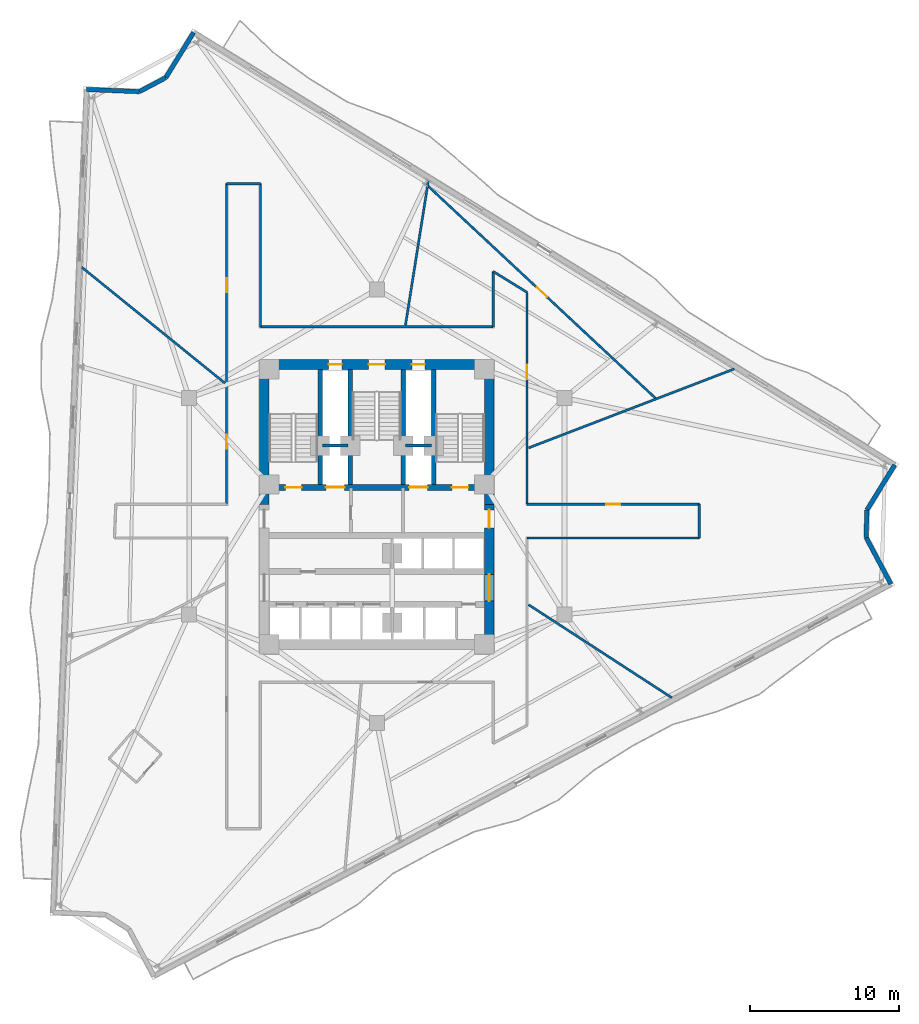
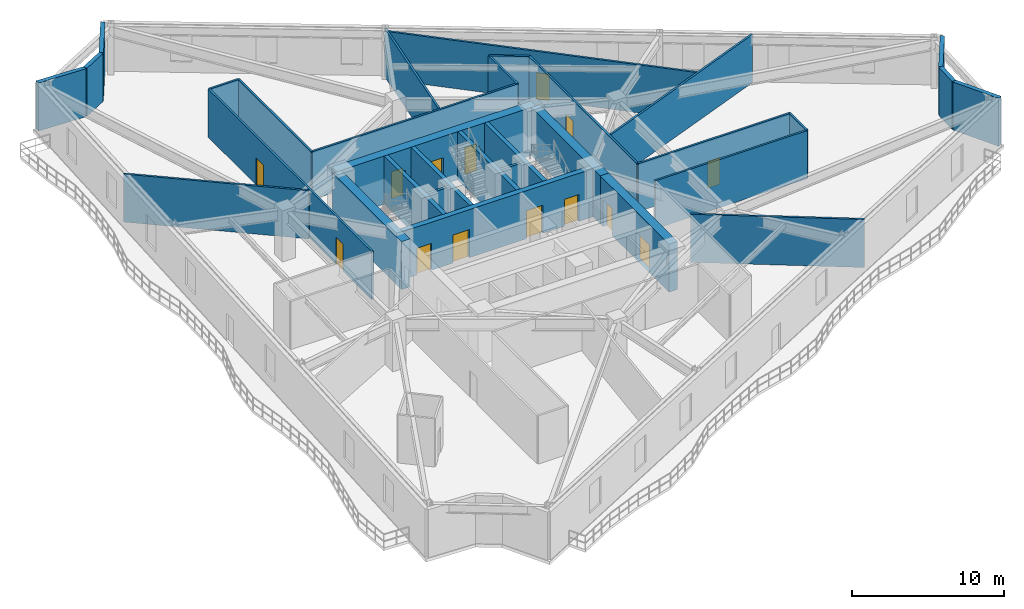
# One storey, part 7 of 12: 32 walls, 14 doors, 14 openings.
"""IFC4 building model written with IfcOpenShell, lengths in metres."""

from ifc_helpers import new_model, si_unit, direction, frame, frame_2d, origin, place, context, subcontext, project, spatial, rectangle, extrude, material, layer, layer_set, type_object, element, fill, save


model = new_model("IFC4")

# Units and contexts
model_context = context("Model", 3, precision=1e-05, world=origin(), true_north=direction((0.0, 1.0)))
body_context = subcontext(model_context, "Body", "Model", "MODEL_VIEW")
ifc_project = project(units=[si_unit("LENGTHUNIT", "METRE"), si_unit("AREAUNIT", "SQUARE_METRE"), si_unit("VOLUMEUNIT", "CUBIC_METRE"), si_unit("PLANEANGLEUNIT", "RADIAN"), si_unit("MASSUNIT", "GRAM", prefix="KILO")], contexts=[model_context])

# Site, building, storey
site_placement = place(None, origin())
site = spatial("IfcSite", under=ifc_project, at=site_placement, CompositionType="ELEMENT")
building_placement = place(site_placement, origin())
building = spatial("IfcBuilding", under=site, at=building_placement, Name="Apsidion Concourse Tower", CompositionType="ELEMENT")
storey_placement = place(building_placement, frame((0.0, 0.0, 181.89990234375)))
storey = spatial("IfcBuildingStorey", under=building, at=storey_placement, Name="L42", CompositionType="ELEMENT", Elevation=181.89990234375)

# Walls
ifc_material_1 = material(Name="Precast concrete C40/50", Category="concrete")
ifc_layer_1 = layer(ifc_material_1, 0.300048828125)
ifc_layer_set_1 = layer_set([ifc_layer_1], Name="Precast concrete C40/50")
wall_type_1 = type_object("IfcWallType", Name="WL-EXT-300", PredefinedType="STANDARD", material=ifc_layer_set_1)
wall_1_placement = place(storey_placement, frame((34.653076171875, 2.76171875, 0.0), z_axis=(0.0, 0.0, 1.0), x_axis=(-0.524920336071, -0.85115136185, 0.0)))
element("IfcWall", 1, at=wall_1_placement, inside=storey, type_object=wall_type_1, Name="L42 Precast Stone Facade Wall 02", PredefinedType="STANDARD", context=body_context, shape_type="SweptSolid", body=[
    extrude(rectangle(XDim=3.541259765625, YDim=0.300048828125, at=frame_2d((1.7705078125, 0.0))), origin(), (0.0, 0.0, 1.0), 3.85009765625),
])
wall_2_placement = place(storey_placement, frame((32.794189453125, -0.25244140625, 0.0), z_axis=(0.0, 0.0, 1.0), x_axis=(-0.031873247483, -0.999491918974, 0.0)))
element("IfcWall", 2, at=wall_2_placement, inside=storey, type_object=wall_type_1, Name="L42 Precast Stone Facade Wall 03", PredefinedType="STANDARD", context=body_context, shape_type="SweptSolid", body=[
    extrude(rectangle(XDim=1.83837890625, YDim=0.300048828125, at=frame_2d((0.919189453125, 0.0))), origin(), (0.0, 0.0, 1.0), 3.85009765625),
])
wall_3_placement = place(storey_placement, frame((32.735595703125, -2.08984375, 0.0), z_axis=(0.0, 0.0, 1.0), x_axis=(0.469464339615, -0.882951433449, 0.0)))
element("IfcWall", 3, at=wall_3_placement, inside=storey, type_object=wall_type_1, Name="L42 Precast Stone Facade Wall 04", PredefinedType="STANDARD", context=body_context, shape_type="SweptSolid", body=[
    extrude(rectangle(XDim=3.54150390625, YDim=0.300048828125, at=frame_2d((1.770751953125, 0.0))), origin(), (0.0, 0.0, 1.0), 3.85009765625),
])
wall_4_placement = place(storey_placement, frame((-19.418212890625, 27.880126953125, 0.0), z_axis=(0.0, 0.0, 1.0), x_axis=(0.999167250485, -0.040802028853, 0.0)))
element("IfcWall", 4, at=wall_4_placement, inside=storey, type_object=wall_type_1, Name="L42 Precast Stone Facade Wall 10", PredefinedType="STANDARD", context=body_context, shape_type="SweptSolid", body=[
    extrude(rectangle(XDim=3.542236328125, YDim=0.300048828125, at=frame_2d((1.77099609375, 0.0))), origin(), (0.0, 0.0, 1.0), 3.85009765625),
])
wall_5_placement = place(storey_placement, frame((-15.87890625, 27.735595703125, 0.0), z_axis=(0.0, 0.0, 1.0), x_axis=(0.882930579665, 0.469503558552, 0.0)))
element("IfcWall", 5, at=wall_5_placement, inside=storey, type_object=wall_type_1, Name="L42 Precast Stone Facade Wall 11", PredefinedType="STANDARD", context=body_context, shape_type="SweptSolid", body=[
    extrude(rectangle(XDim=1.998291015625, YDim=0.300048828125, at=frame_2d((0.9990234375, 0.0))), origin(), (0.0, 0.0, 1.0), 3.85009765625),
])
wall_6_placement = place(storey_placement, frame((-14.114501953125, 28.673828125, 0.0), z_axis=(0.0, 0.0, 1.0), x_axis=(0.524897025004, 0.851165737763, 0.0)))
element("IfcWall", 6, at=wall_6_placement, inside=storey, type_object=wall_type_1, Name="L42 Precast Stone Facade Wall 12", PredefinedType="STANDARD", context=body_context, shape_type="SweptSolid", body=[
    extrude(rectangle(XDim=3.54248046875, YDim=0.300048828125, at=frame_2d((1.771240234375, 0.0))), origin(), (0.0, 0.0, 1.0), 3.85009765625),
])

# Wall, openings, doors
ifc_material_2 = material(Name="Gypsum plasterboard partition")
ifc_layer_2 = layer(ifc_material_2, 0.14990234375)
ifc_layer_set_2 = layer_set([ifc_layer_2], Name="Gypsum plasterboard partition")
wall_type_2 = type_object("IfcWallType", Name="WL-INT-PAR-150", PredefinedType="PARTITIONING", material=ifc_layer_set_2)
wall_7_placement = place(storey_placement, frame((-10.050048828125, 0.1298828125, 0.0), z_axis=(0.0, 0.0, 1.0), x_axis=(0.0, 1.0, 0.0)))
wall_7 = element("IfcWall", 7, at=wall_7_placement, inside=storey, type_object=wall_type_2, Name="L42 Interior Partition WL-L42-CORR-10", PredefinedType="PARTITIONING", context=body_context, shape_type="SweptSolid", body=[
    extrude(rectangle(XDim=21.4501953125, YDim=0.14990234375, at=frame_2d((10.72509765625, 0.0))), origin(), (0.0, 0.0, 1.0), 3.85009765625),
])
opening_1_placement = place(wall_7_placement, frame((14.171142578125, 0.0, 0.0)))
opening_1 = element("IfcOpeningElement", 8, at=opening_1_placement, cuts=wall_7, Name="Opening D-01L", PredefinedType="OPENING", context=body_context, shape_type="SweptSolid", body=[
    extrude(rectangle(XDim=0.949951171875, YDim=2.14990234375, at=frame_2d((0.47509765625, 1.074951171875))), frame((0.0, 0.0849609375, 0.0), z_axis=(0.0, -1.0, 0.0), x_axis=(1.0, 0.0, 0.0)), (0.0, 0.0, 1.0), 0.169921875),
])
opening_2_placement = place(wall_7_placement, frame((3.69921875, 0.0, 0.0)))
opening_2 = element("IfcOpeningElement", 9, at=opening_2_placement, cuts=wall_7, Name="Opening D-01R", PredefinedType="OPENING", context=body_context, shape_type="SweptSolid", body=[
    extrude(rectangle(XDim=0.949951171875, YDim=2.14990234375, at=frame_2d((0.47509765625, 1.074951171875))), frame((0.0, 0.0849609375, 0.0), z_axis=(0.0, -1.0, 0.0), x_axis=(1.0, 0.0, 0.0)), (0.0, 0.0, 1.0), 0.169921875),
])
ifc_material_3 = material(Name="Brushed stainless steel 316", Category="steel")
door_type_1 = type_object("IfcDoorType", Name="DR-INT-D01L", OperationType="SINGLE_SWING_LEFT", PredefinedType="DOOR", material=ifc_material_3)
door_1_placement = place(opening_1_placement, origin())
door_1 = element("IfcDoor", 10, at=door_1_placement, inside=storey, type_object=door_type_1, Name="L42 Corridor Entry Door 05", OperationType="SINGLE_SWING_LEFT", OverallHeight=2.14990234375, OverallWidth=0.949951171875, PredefinedType="DOOR", context=body_context, shape_type="SweptSolid", body=[
    extrude(rectangle(XDim=0.949951171875, YDim=2.14990234375, at=frame_2d((0.47509765625, 1.074951171875))), frame((0.0, 0.02490234375, 0.0), z_axis=(0.0, -1.0, 0.0), x_axis=(1.0, 0.0, 0.0)), (0.0, 0.0, 1.0), 0.050048828125),
])
fill(opening_1, door_1)
door_type_2 = type_object("IfcDoorType", Name="DR-INT-D01R", OperationType="SINGLE_SWING_RIGHT", PredefinedType="DOOR", material=ifc_material_3)
door_2_placement = place(opening_2_placement, origin())
door_2 = element("IfcDoor", 11, at=door_2_placement, inside=storey, type_object=door_type_2, Name="L42 Corridor Entry Door 06", OperationType="SINGLE_SWING_RIGHT", OverallHeight=2.14990234375, OverallWidth=0.949951171875, PredefinedType="DOOR", context=body_context, shape_type="SweptSolid", body=[
    extrude(rectangle(XDim=0.949951171875, YDim=2.14990234375, at=frame_2d((0.47509765625, 1.074951171875))), frame((0.0, 0.02490234375, 0.0), z_axis=(0.0, -1.0, 0.0), x_axis=(1.0, 0.0, 0.0)), (0.0, 0.0, 1.0), 0.050048828125),
])
fill(opening_2, door_2)

# Walls
wall_8_placement = place(storey_placement, frame((-10.050048828125, 21.580078125, 0.0), z_axis=(0.0, 0.0, 1.0), x_axis=(1.0, 0.0, 0.0)))
element("IfcWall", 12, at=wall_8_placement, inside=storey, type_object=wall_type_2, Name="L42 Interior Partition WL-L42-CORR-11", PredefinedType="PARTITIONING", context=body_context, shape_type="SweptSolid", body=[
    extrude(rectangle(XDim=2.260009765625, YDim=0.14990234375, at=frame_2d((1.1298828125, 0.0))), origin(), (0.0, 0.0, 1.0), 3.85009765625),
])
wall_9_placement = place(storey_placement, frame((-7.7900390625, 21.580078125, 0.0), z_axis=(0.0, 0.0, 1.0), x_axis=(0.0, -1.0, 0.0)))
element("IfcWall", 13, at=wall_9_placement, inside=storey, type_object=wall_type_2, Name="L42 Interior Partition WL-L42-CORR-12", PredefinedType="PARTITIONING", context=body_context, shape_type="SweptSolid", body=[
    extrude(rectangle(XDim=9.580078125, YDim=0.14990234375, at=frame_2d((4.7900390625, 0.0))), origin(), (0.0, 0.0, 1.0), 3.85009765625),
])
wall_10_placement = place(storey_placement, frame((-7.7900390625, 12.0, 0.0), z_axis=(0.0, 0.0, 1.0), x_axis=(1.0, 0.0, 0.0)))
element("IfcWall", 14, at=wall_10_placement, inside=storey, type_object=wall_type_2, Name="L42 Interior Partition WL-L42-CORR-13", PredefinedType="PARTITIONING", context=body_context, shape_type="SweptSolid", body=[
    extrude(rectangle(XDim=15.580078125, YDim=0.14990234375, at=frame_2d((7.7900390625, 0.0))), origin(), (0.0, 0.0, 1.0), 3.85009765625),
])
wall_11_placement = place(storey_placement, frame((7.7900390625, 12.0, 0.0), z_axis=(0.0, 0.0, 1.0), x_axis=(0.0, 1.0, 0.0)))
element("IfcWall", 15, at=wall_11_placement, inside=storey, type_object=wall_type_2, Name="L42 Interior Partition WL-L42-CORR-14", PredefinedType="PARTITIONING", context=body_context, shape_type="SweptSolid", body=[
    extrude(rectangle(XDim=3.703125, YDim=0.14990234375, at=frame_2d((1.8515625, 0.0))), origin(), (0.0, 0.0, 1.0), 3.85009765625),
])
wall_12_placement = place(storey_placement, frame((7.7900390625, 15.703125, 0.0), z_axis=(0.0, 0.0, 1.0), x_axis=(0.851190724913, -0.52485650403, 0.0)))
element("IfcWall", 16, at=wall_12_placement, inside=storey, type_object=wall_type_2, Name="L42 Interior Partition WL-L42-CORR-15", PredefinedType="PARTITIONING", context=body_context, shape_type="SweptSolid", body=[
    extrude(rectangle(XDim=2.655029296875, YDim=0.14990234375, at=frame_2d((1.32763671875, 0.0))), origin(), (0.0, 0.0, 1.0), 3.85009765625),
])

# Wall, opening, door
wall_13_placement = place(storey_placement, frame((10.050048828125, 14.3095703125, 0.0), z_axis=(0.0, 0.0, 1.0), x_axis=(0.0, -1.0, 0.0)))
wall_13 = element("IfcWall", 17, at=wall_13_placement, inside=storey, type_object=wall_type_2, Name="L42 Interior Partition WL-L42-CORR-16", PredefinedType="PARTITIONING", context=body_context, shape_type="SweptSolid", body=[
    extrude(rectangle(XDim=14.1796875, YDim=0.14990234375, at=frame_2d((7.08984375, 0.0))), origin(), (0.0, 0.0, 1.0), 3.85009765625),
])
opening_3_placement = place(wall_13_placement, frame((4.860595703125, 0.0, 0.0)))
opening_3 = element("IfcOpeningElement", 18, at=opening_3_placement, cuts=wall_13, Name="Opening D-01R", PredefinedType="OPENING", context=body_context, shape_type="SweptSolid", body=[
    extrude(rectangle(XDim=0.949951171875, YDim=2.14990234375, at=frame_2d((0.47509765625, 1.074951171875))), frame((0.0, 0.0849609375, 0.0), z_axis=(0.0, -1.0, 0.0), x_axis=(1.0, 0.0, 0.0)), (0.0, 0.0, 1.0), 0.169921875),
])
door_3_placement = place(opening_3_placement, origin())
door_3 = element("IfcDoor", 19, at=door_3_placement, inside=storey, type_object=door_type_2, Name="L42 Corridor Entry Door 04", OperationType="SINGLE_SWING_RIGHT", OverallHeight=2.14990234375, OverallWidth=0.949951171875, PredefinedType="DOOR", context=body_context, shape_type="SweptSolid", body=[
    extrude(rectangle(XDim=0.949951171875, YDim=2.14990234375, at=frame_2d((0.47509765625, 1.074951171875))), frame((0.0, 0.02490234375, 0.0), z_axis=(0.0, -1.0, 0.0), x_axis=(1.0, 0.0, 0.0)), (0.0, 0.0, 1.0), 0.050048828125),
])
fill(opening_3, door_3)

wall_14_placement = place(storey_placement, frame((10.050048828125, 0.1298828125, 0.0), z_axis=(0.0, 0.0, 1.0), x_axis=(1.0, 0.0, 0.0)))
wall_14 = element("IfcWall", 20, at=wall_14_placement, inside=storey, type_object=wall_type_2, Name="L42 Interior Partition WL-L42-CORR-17", PredefinedType="PARTITIONING", context=body_context, shape_type="SweptSolid", body=[
    extrude(rectangle(XDim=11.530029296875, YDim=0.14990234375, at=frame_2d((5.76513671875, 0.0))), origin(), (0.0, 0.0, 1.0), 3.85009765625),
])
opening_4_placement = place(wall_14_placement, frame((5.2900390625, 0.0, 0.0)))
opening_4 = element("IfcOpeningElement", 21, at=opening_4_placement, cuts=wall_14, Name="Opening D-01L", PredefinedType="OPENING", context=body_context, shape_type="SweptSolid", body=[
    extrude(rectangle(XDim=0.949951171875, YDim=2.14990234375, at=frame_2d((0.47509765625, 1.074951171875))), frame((0.0, 0.0849609375, 0.0), z_axis=(0.0, -1.0, 0.0), x_axis=(1.0, 0.0, 0.0)), (0.0, 0.0, 1.0), 0.169921875),
])
door_4_placement = place(opening_4_placement, origin())
door_4 = element("IfcDoor", 22, at=door_4_placement, inside=storey, type_object=door_type_1, Name="L42 Corridor Entry Door 03", OperationType="SINGLE_SWING_LEFT", OverallHeight=2.14990234375, OverallWidth=0.949951171875, PredefinedType="DOOR", context=body_context, shape_type="SweptSolid", body=[
    extrude(rectangle(XDim=0.949951171875, YDim=2.14990234375, at=frame_2d((0.47509765625, 1.074951171875))), frame((0.0, 0.02490234375, 0.0), z_axis=(0.0, -1.0, 0.0), x_axis=(1.0, 0.0, 0.0)), (0.0, 0.0, 1.0), 0.050048828125),
])
fill(opening_4, door_4)

# Walls
wall_15_placement = place(storey_placement, frame((21.580078125, 0.1298828125, 0.0), z_axis=(0.0, 0.0, 1.0), x_axis=(0.0, -1.0, 0.0)))
element("IfcWall", 23, at=wall_15_placement, inside=storey, type_object=wall_type_2, Name="L42 Interior Partition WL-L42-CORR-18", PredefinedType="PARTITIONING", context=body_context, shape_type="SweptSolid", body=[
    extrude(rectangle(XDim=2.259765625, YDim=0.14990234375, at=frame_2d((1.1298828125, 0.0))), origin(), (0.0, 0.0, 1.0), 3.85009765625),
])
wall_16_placement = place(storey_placement, frame((21.580078125, -2.1298828125, 0.0), z_axis=(0.0, 0.0, 1.0), x_axis=(-1.0, 0.0, 0.0)))
element("IfcWall", 24, at=wall_16_placement, inside=storey, type_object=wall_type_2, Name="L42 Interior Partition WL-L42-CORR-19", PredefinedType="PARTITIONING", context=body_context, shape_type="SweptSolid", body=[
    extrude(rectangle(XDim=11.530029296875, YDim=0.14990234375, at=frame_2d((5.76513671875, 0.0))), origin(), (0.0, 0.0, 1.0), 3.85009765625),
])
wall_17_placement = place(storey_placement, frame((10.155029296875, 3.898193359375, 0.0), z_axis=(0.0, 0.0, 1.0), x_axis=(0.933582173368, 0.358363398759, 0.0)))
element("IfcWall", 25, at=wall_17_placement, inside=storey, type_object=wall_type_2, Name="L42 Interior Partition WL-L42-RAD-01-1", PredefinedType="PARTITIONING", context=body_context, shape_type="SweptSolid", body=[
    extrude(rectangle(XDim=14.74951171875, YDim=0.14990234375, at=frame_2d((7.374755859375, 0.0))), origin(), (0.0, 0.0, 1.0), 3.85009765625),
])
wall_18_placement = place(storey_placement, frame((1.917236328125, 12.10498046875, 0.0), z_axis=(0.0, 0.0, 1.0), x_axis=(0.156446237386, 0.987686475967, 0.0)))
element("IfcWall", 26, at=wall_18_placement, inside=storey, type_object=wall_type_2, Name="L42 Interior Partition WL-L42-RAD-02-1", PredefinedType="PARTITIONING", context=body_context, shape_type="SweptSolid", body=[
    extrude(rectangle(XDim=9.823486328125, YDim=0.14990234375, at=frame_2d((4.91162109375, 0.0))), origin(), (0.0, 0.0, 1.0), 3.85009765625),
])
wall_19_placement = place(storey_placement, frame((-10.155029296875, 8.223388671875, 0.0), z_axis=(0.0, 0.0, 1.0), x_axis=(-0.777144819035, 0.629321801821, 0.0)))
element("IfcWall", 27, at=wall_19_placement, inside=storey, type_object=wall_type_2, Name="L42 Interior Partition WL-L42-RAD-03-1", PredefinedType="PARTITIONING", context=body_context, shape_type="SweptSolid", body=[
    extrude(rectangle(XDim=12.332275390625, YDim=0.14990234375, at=frame_2d((6.166015625, 0.0))), origin(), (0.0, 0.0, 1.0), 3.85009765625),
])
wall_20_placement = place(storey_placement, frame((10.155029296875, -6.5947265625, 0.0), z_axis=(0.0, 0.0, 1.0), x_axis=(0.838665527381, -0.544646796725, 0.0)))
element("IfcWall", 28, at=wall_20_placement, inside=storey, type_object=wall_type_2, Name="L42 Interior Partition WL-L42-RAD-06-1", PredefinedType="PARTITIONING", context=body_context, shape_type="SweptSolid", body=[
    extrude(rectangle(XDim=11.43310546875, YDim=0.14990234375, at=frame_2d((5.716552734375, 0.0))), origin(), (0.0, 0.0, 1.0), 3.85009765625),
])

# Wall, opening, door
wall_21_placement = place(storey_placement, frame((18.675048828125, 7.195556640625, 0.0), z_axis=(0.0, 0.0, 1.0), x_axis=(-0.731248253025, 0.682111422312, 0.0)))
wall_21 = element("IfcWall", 29, at=wall_21_placement, inside=storey, type_object=wall_type_2, Name="L42 Interior Partition WL-L42-CHD-OFS03", PredefinedType="PARTITIONING", context=body_context, shape_type="SweptSolid", body=[
    extrude(rectangle(XDim=20.863037109375, YDim=0.14990234375, at=frame_2d((10.431640625, 0.0))), origin(), (0.0, 0.0, 1.0), 3.85009765625),
])
opening_5_placement = place(wall_21_placement, frame((9.981689453125, 0.0, 0.0)))
opening_5 = element("IfcOpeningElement", 30, at=opening_5_placement, cuts=wall_21, Name="Opening D-02R", PredefinedType="OPENING", context=body_context, shape_type="SweptSolid", body=[
    extrude(rectangle(XDim=0.89990234375, YDim=2.10009765625, at=frame_2d((0.449951171875, 1.050048828125))), frame((0.0, 0.0849609375, 0.0), z_axis=(0.0, -1.0, 0.0), x_axis=(1.0, 0.0, 0.0)), (0.0, 0.0, 1.0), 0.169921875),
])
ifc_material_4 = material(Name="Anodised aluminium EN AW-6063 T6", Category="aluminium")
door_type_3 = type_object("IfcDoorType", Name="DR-INT-D02R", OperationType="SINGLE_SWING_RIGHT", PredefinedType="DOOR", material=ifc_material_4)
door_5_placement = place(opening_5_placement, origin())
door_5 = element("IfcDoor", 31, at=door_5_placement, inside=storey, type_object=door_type_3, Name="L42 Suite Connecting Door OFS03", OperationType="SINGLE_SWING_RIGHT", OverallHeight=2.10009765625, OverallWidth=0.89990234375, PredefinedType="DOOR", context=body_context, shape_type="SweptSolid", body=[
    extrude(rectangle(XDim=0.89990234375, YDim=2.10009765625, at=frame_2d((0.449951171875, 1.050048828125))), frame((0.0, 0.02490234375, 0.0), z_axis=(0.0, -1.0, 0.0), x_axis=(1.0, 0.0, 0.0)), (0.0, 0.0, 1.0), 0.050048828125),
])
fill(opening_5, door_5)

# Walls
ifc_layer_3 = layer(ifc_material_2, 0.199951171875)
ifc_layer_set_3 = layer_set([ifc_layer_3], Name="Gypsum plasterboard partition")
wall_type_3 = type_object("IfcWallType", Name="WL-INT-PAR-200", PredefinedType="PARTITIONING", material=ifc_layer_set_3)
for number, where, z_axis, x_axis, name in (
    (32, (-3.64990234375, 4.050048828125, 0.0), (0.0, 0.0, 1.0), (1.0, 0.0, 0.0), "L42 Interior Partition WL-L42-FF1-N"),
    (33, (1.919921875, 4.050048828125, 0.0), (0.0, 0.0, 1.0), (1.0, 0.0, 0.0), "L42 Interior Partition WL-L42-FF2-N"),
):
    element("IfcWall", number, at=place(storey_placement, frame(where, z_axis=z_axis, x_axis=x_axis)), inside=storey, type_object=wall_type_3, Name=name, PredefinedType="PARTITIONING", context=body_context, shape_type="SweptSolid", body=[
        extrude(rectangle(XDim=1.72998046875, YDim=0.199951171875, at=frame_2d((0.864990234375, 0.0))), origin(), (0.0, 0.0, 1.0), 3.85009765625),
    ])
ifc_material_5 = material(Name="Concrete C50/60", Category="concrete")
ifc_layer_4 = layer(ifc_material_5, 0.300048828125)
ifc_layer_set_4 = layer_set([ifc_layer_4], Name="Concrete C50/60")
wall_type_4 = type_object("IfcWallType", Name="WL-SH-300", PredefinedType="SHEAR", material=ifc_layer_set_4)
for number, where, z_axis, x_axis, name in (
    (34, (-3.800048828125, 1.449951171875, 0.0), (0.0, 0.0, 1.0), (0.0, 1.0, 0.0), "L42 Central Core Shear Wall V1"),
    (35, (-1.77490234375, 1.449951171875, 0.0), (0.0, 0.0, 1.0), (0.0, 1.0, 0.0), "L42 Central Core Shear Wall V2"),
    (36, (1.77490234375, 1.449951171875, 0.0), (0.0, 0.0, 1.0), (0.0, 1.0, 0.0), "L42 Central Core Shear Wall V3"),
    (37, (3.800048828125, 1.449951171875, 0.0), (0.0, 0.0, 1.0), (0.0, 1.0, 0.0), "L42 Central Core Shear Wall V4"),
):
    element("IfcWall", number, at=place(storey_placement, frame(where, z_axis=z_axis, x_axis=x_axis)), inside=storey, type_object=wall_type_4, Name=name, PredefinedType="SHEAR", context=body_context, shape_type="SweptSolid", body=[
        extrude(rectangle(XDim=7.699951171875, YDim=0.300048828125, at=frame_2d((3.85009765625, 0.0))), origin(), (0.0, 0.0, 1.0), 3.85009765625),
    ])

# Wall, openings, doors
ifc_layer_5 = layer(ifc_material_5, 0.39990234375)
ifc_layer_set_5 = layer_set([ifc_layer_5], Name="Concrete C50/60")
wall_type_5 = type_object("IfcWallType", Name="WL-SH-400", PredefinedType="SHEAR", material=ifc_layer_set_5)
wall_22_placement = place(storey_placement, frame((-7.199951171875, 1.25, 0.0), z_axis=(0.0, 0.0, 1.0), x_axis=(1.0, 0.0, 0.0)))
wall_22 = element("IfcWall", 38, at=wall_22_placement, inside=storey, type_object=wall_type_5, Name="L42 Central Core Shear Wall M1", PredefinedType="SHEAR", context=body_context, shape_type="SweptSolid", body=[
    extrude(rectangle(XDim=14.39990234375, YDim=0.39990234375, at=frame_2d((7.199951171875, 0.0))), origin(), (0.0, 0.0, 1.0), 3.85009765625),
])
opening_6_placement = place(wall_22_placement, frame((3.794921875, 0.0, 0.0)))
opening_6 = element("IfcOpeningElement", 39, at=opening_6_placement, cuts=wall_22, Name="Opening LD-FF", PredefinedType="OPENING", context=body_context, shape_type="SweptSolid", body=[
    extrude(rectangle(XDim=1.25, YDim=2.25, at=frame_2d((0.625, 1.125))), frame((0.0, 0.2099609375, 0.0), z_axis=(0.0, -1.0, 0.0), x_axis=(1.0, 0.0, 0.0)), (0.0, 0.0, 1.0), 0.419921875),
])
opening_7_placement = place(wall_22_placement, frame((9.35498046875, 0.0, 0.0)))
opening_7 = element("IfcOpeningElement", 40, at=opening_7_placement, cuts=wall_22, Name="Opening LD-FF", PredefinedType="OPENING", context=body_context, shape_type="SweptSolid", body=[
    extrude(rectangle(XDim=1.25, YDim=2.25, at=frame_2d((0.625, 1.125))), frame((0.0, 0.2099609375, 0.0), z_axis=(0.0, -1.0, 0.0), x_axis=(1.0, 0.0, 0.0)), (0.0, 0.0, 1.0), 0.419921875),
])
opening_8_placement = place(wall_22_placement, frame((1.074951171875, 0.0, 0.0)))
opening_8 = element("IfcOpeningElement", 41, at=opening_8_placement, cuts=wall_22, Name="Opening D-STL", PredefinedType="OPENING", context=body_context, shape_type="SweptSolid", body=[
    extrude(rectangle(XDim=1.10009765625, YDim=2.14990234375, at=frame_2d((0.550048828125, 1.074951171875))), frame((0.0, 0.2099609375, 0.0), z_axis=(0.0, -1.0, 0.0), x_axis=(1.0, 0.0, 0.0)), (0.0, 0.0, 1.0), 0.419921875),
])
opening_9_placement = place(wall_22_placement, frame((12.22509765625, 0.0, 0.0)))
opening_9 = element("IfcOpeningElement", 42, at=opening_9_placement, cuts=wall_22, Name="Opening D-STR", PredefinedType="OPENING", context=body_context, shape_type="SweptSolid", body=[
    extrude(rectangle(XDim=1.10009765625, YDim=2.14990234375, at=frame_2d((0.550048828125, 1.074951171875))), frame((0.0, 0.2099609375, 0.0), z_axis=(0.0, -1.0, 0.0), x_axis=(1.0, 0.0, 0.0)), (0.0, 0.0, 1.0), 0.419921875),
])
door_type_4 = type_object("IfcDoorType", Name="DR-INT-ST1L", OperationType="SINGLE_SWING_LEFT", PredefinedType="DOOR", material=ifc_material_3)
door_6_placement = place(opening_8_placement, origin())
door_6 = element("IfcDoor", 43, at=door_6_placement, inside=storey, type_object=door_type_4, Name="L42 Core Exit Stair ST1 Door", OperationType="SINGLE_SWING_LEFT", OverallHeight=2.14990234375, OverallWidth=1.10009765625, PredefinedType="DOOR", context=body_context, shape_type="SweptSolid", body=[
    extrude(rectangle(XDim=1.10009765625, YDim=2.14990234375, at=frame_2d((0.550048828125, 1.074951171875))), frame((0.0, 0.02490234375, 0.0), z_axis=(0.0, -1.0, 0.0), x_axis=(1.0, 0.0, 0.0)), (0.0, 0.0, 1.0), 0.050048828125),
])
fill(opening_8, door_6)
door_type_5 = type_object("IfcDoorType", Name="DR-INT-ST1R", OperationType="SINGLE_SWING_RIGHT", PredefinedType="DOOR", material=ifc_material_3)
door_7_placement = place(opening_9_placement, origin())
door_7 = element("IfcDoor", 44, at=door_7_placement, inside=storey, type_object=door_type_5, Name="L42 Core Exit Stair ST2 Door", OperationType="SINGLE_SWING_RIGHT", OverallHeight=2.14990234375, OverallWidth=1.10009765625, PredefinedType="DOOR", context=body_context, shape_type="SweptSolid", body=[
    extrude(rectangle(XDim=1.10009765625, YDim=2.14990234375, at=frame_2d((0.550048828125, 1.074951171875))), frame((0.0, 0.02490234375, 0.0), z_axis=(0.0, -1.0, 0.0), x_axis=(1.0, 0.0, 0.0)), (0.0, 0.0, 1.0), 0.050048828125),
])
fill(opening_9, door_7)
door_type_6 = type_object("IfcDoorType", Name="DR-LD-FSAE", OperationType="DOUBLE_DOOR_SLIDING", PredefinedType="DOOR", material=ifc_material_3)
door_8_placement = place(opening_6_placement, origin())
door_8 = element("IfcDoor", 45, at=door_8_placement, inside=storey, type_object=door_type_6, Name="L42 Lift Landing Door FF1", OperationType="DOUBLE_DOOR_SLIDING", OverallHeight=2.25, OverallWidth=1.25, PredefinedType="DOOR", context=body_context, shape_type="SweptSolid", body=[
    extrude(rectangle(XDim=1.25, YDim=2.25, at=frame_2d((0.625, 1.125))), frame((0.0, 0.02490234375, 0.0), z_axis=(0.0, -1.0, 0.0), x_axis=(1.0, 0.0, 0.0)), (0.0, 0.0, 1.0), 0.050048828125),
])
fill(opening_6, door_8)
door_9_placement = place(opening_7_placement, origin())
door_9 = element("IfcDoor", 46, at=door_9_placement, inside=storey, type_object=door_type_6, Name="L42 Lift Landing Door FF2", OperationType="DOUBLE_DOOR_SLIDING", OverallHeight=2.25, OverallWidth=1.25, PredefinedType="DOOR", context=body_context, shape_type="SweptSolid", body=[
    extrude(rectangle(XDim=1.25, YDim=2.25, at=frame_2d((0.625, 1.125))), frame((0.0, 0.02490234375, 0.0), z_axis=(0.0, -1.0, 0.0), x_axis=(1.0, 0.0, 0.0)), (0.0, 0.0, 1.0), 0.050048828125),
])
fill(opening_7, door_9)

ifc_layer_6 = layer(ifc_material_5, 0.64990234375)
ifc_layer_set_6 = layer_set([ifc_layer_6], Name="Concrete C50/60")
wall_type_6 = type_object("IfcWallType", Name="WL-SH-650", PredefinedType="SHEAR", material=ifc_layer_set_6)
wall_23_placement = place(storey_placement, frame((-7.52490234375, 9.47509765625, 0.0), z_axis=(0.0, 0.0, 1.0), x_axis=(1.0, 0.0, 0.0)))
wall_23 = element("IfcWall", 47, at=wall_23_placement, inside=storey, type_object=wall_type_6, Name="L42 Central Core Shear Wall N", PredefinedType="SHEAR", context=body_context, shape_type="SweptSolid", body=[
    extrude(rectangle(XDim=15.0498046875, YDim=0.64990234375, at=frame_2d((7.52490234375, 0.0))), origin(), (0.0, 0.0, 1.0), 3.85009765625),
])
opening_10_placement = place(wall_23_placement, frame((6.97509765625, 0.0, 0.0)))
opening_10 = element("IfcOpeningElement", 48, at=opening_10_placement, cuts=wall_23, Name="Opening D-STL", PredefinedType="OPENING", context=body_context, shape_type="SweptSolid", body=[
    extrude(rectangle(XDim=1.10009765625, YDim=2.14990234375, at=frame_2d((0.550048828125, 1.074951171875))), frame((0.0, 0.3349609375, 0.0), z_axis=(0.0, -1.0, 0.0), x_axis=(1.0, 0.0, 0.0)), (0.0, 0.0, 1.0), 0.669921875),
])
opening_11_placement = place(wall_23_placement, frame((4.304931640625, 0.0, 0.0)))
opening_11 = element("IfcOpeningElement", 49, at=opening_11_placement, cuts=wall_23, Name="Opening D-05L", PredefinedType="OPENING", context=body_context, shape_type="SweptSolid", body=[
    extrude(rectangle(XDim=0.8798828125, YDim=2.14990234375, at=frame_2d((0.43994140625, 1.074951171875))), frame((0.0, 0.3349609375, 0.0), z_axis=(0.0, -1.0, 0.0), x_axis=(1.0, 0.0, 0.0)), (0.0, 0.0, 1.0), 0.669921875),
])
opening_12_placement = place(wall_23_placement, frame((9.864990234375, 0.0, 0.0)))
opening_12 = element("IfcOpeningElement", 50, at=opening_12_placement, cuts=wall_23, Name="Opening D-05R", PredefinedType="OPENING", context=body_context, shape_type="SweptSolid", body=[
    extrude(rectangle(XDim=0.8798828125, YDim=2.14990234375, at=frame_2d((0.43994140625, 1.074951171875))), frame((0.0, 0.3349609375, 0.0), z_axis=(0.0, -1.0, 0.0), x_axis=(1.0, 0.0, 0.0)), (0.0, 0.0, 1.0), 0.669921875),
])
door_type_7 = type_object("IfcDoorType", Name="DR-INT-D05L", OperationType="SINGLE_SWING_LEFT", PredefinedType="DOOR", material=ifc_material_3)
door_10_placement = place(opening_11_placement, origin())
door_10 = element("IfcDoor", 51, at=door_10_placement, inside=storey, type_object=door_type_7, Name="L42 Electrical Riser Shaft Access Door", OperationType="SINGLE_SWING_LEFT", OverallHeight=2.14990234375, OverallWidth=0.8798828125, PredefinedType="DOOR", context=body_context, shape_type="SweptSolid", body=[
    extrude(rectangle(XDim=0.8798828125, YDim=2.14990234375, at=frame_2d((0.43994140625, 1.074951171875))), frame((0.0, 0.02490234375, 0.0), z_axis=(0.0, -1.0, 0.0), x_axis=(1.0, 0.0, 0.0)), (0.0, 0.0, 1.0), 0.050048828125),
])
fill(opening_11, door_10)
door_type_8 = type_object("IfcDoorType", Name="DR-INT-D05R", OperationType="SINGLE_SWING_RIGHT", PredefinedType="DOOR", material=ifc_material_3)
door_11_placement = place(opening_12_placement, origin())
door_11 = element("IfcDoor", 52, at=door_11_placement, inside=storey, type_object=door_type_8, Name="L42 Mechanical Riser Shaft Access Door", OperationType="SINGLE_SWING_RIGHT", OverallHeight=2.14990234375, OverallWidth=0.8798828125, PredefinedType="DOOR", context=body_context, shape_type="SweptSolid", body=[
    extrude(rectangle(XDim=0.8798828125, YDim=2.14990234375, at=frame_2d((0.43994140625, 1.074951171875))), frame((0.0, 0.02490234375, 0.0), z_axis=(0.0, -1.0, 0.0), x_axis=(1.0, 0.0, 0.0)), (0.0, 0.0, 1.0), 0.050048828125),
])
fill(opening_12, door_11)
door_12_placement = place(opening_10_placement, origin())
door_12 = element("IfcDoor", 53, at=door_12_placement, inside=storey, type_object=door_type_4, Name="L42 Core Exit Stair ST3 Door", OperationType="SINGLE_SWING_LEFT", OverallHeight=2.14990234375, OverallWidth=1.10009765625, PredefinedType="DOOR", context=body_context, shape_type="SweptSolid", body=[
    extrude(rectangle(XDim=1.10009765625, YDim=2.14990234375, at=frame_2d((0.550048828125, 1.074951171875))), frame((0.0, 0.02490234375, 0.0), z_axis=(0.0, -1.0, 0.0), x_axis=(1.0, 0.0, 0.0)), (0.0, 0.0, 1.0), 0.050048828125),
])
fill(opening_10, door_12)

# Walls
for number, where, z_axis, x_axis, name in (
    (54, (-7.52490234375, 0.10009765625, 0.0), (0.0, 0.0, 1.0), (0.0, 1.0, 0.0), "L42 Central Core Shear Wall WN"),
    (55, (7.52490234375, 0.10009765625, 0.0), (0.0, 0.0, 1.0), (0.0, 1.0, 0.0), "L42 Central Core Shear Wall EN"),
):
    element("IfcWall", number, at=place(storey_placement, frame(where, z_axis=z_axis, x_axis=x_axis)), inside=storey, type_object=wall_type_6, Name=name, PredefinedType="SHEAR", context=body_context, shape_type="SweptSolid", body=[
        extrude(rectangle(XDim=9.0498046875, YDim=0.64990234375, at=frame_2d((4.52490234375, 0.0))), origin(), (0.0, 0.0, 1.0), 3.85009765625),
    ])

# Wall, openings, doors
wall_24_placement = place(storey_placement, frame((7.52490234375, -8.925048828125, 0.0), z_axis=(0.0, 0.0, 1.0), x_axis=(0.0, 1.0, 0.0)))
wall_24 = element("IfcWall", 56, at=wall_24_placement, inside=storey, type_object=wall_type_6, Name="L42 Central Core Shear Wall ES", PredefinedType="SHEAR", context=body_context, shape_type="SweptSolid", body=[
    extrude(rectangle(XDim=9.025146484375, YDim=0.64990234375, at=frame_2d((4.5126953125, 0.0))), origin(), (0.0, 0.0, 1.0), 3.85009765625),
])
opening_13_placement = place(wall_24_placement, frame((2.56494140625, 0.0, 0.0)))
opening_13 = element("IfcOpeningElement", 57, at=opening_13_placement, cuts=wall_24, Name="Opening D-06D", PredefinedType="OPENING", context=body_context, shape_type="SweptSolid", body=[
    extrude(rectangle(XDim=1.800048828125, YDim=2.199951171875, at=frame_2d((0.89990234375, 1.10009765625))), frame((0.0, 0.3349609375, 0.0), z_axis=(0.0, -1.0, 0.0), x_axis=(1.0, 0.0, 0.0)), (0.0, 0.0, 1.0), 0.669921875),
])
opening_14_placement = place(wall_24_placement, frame((7.47509765625, 0.0, 0.0)))
opening_14 = element("IfcOpeningElement", 58, at=opening_14_placement, cuts=wall_24, Name="Opening D-FFR", PredefinedType="OPENING", context=body_context, shape_type="SweptSolid", body=[
    extrude(rectangle(XDim=1.199951171875, YDim=2.14990234375, at=frame_2d((0.60009765625, 1.074951171875))), frame((0.0, 0.3349609375, 0.0), z_axis=(0.0, -1.0, 0.0), x_axis=(1.0, 0.0, 0.0)), (0.0, 0.0, 1.0), 0.669921875),
])
door_type_9 = type_object("IfcDoorType", Name="DR-INT-D06D", OperationType="DOUBLE_DOOR_SINGLE_SWING", PredefinedType="DOOR", material=ifc_material_3)
door_13_placement = place(opening_13_placement, origin())
door_13 = element("IfcDoor", 59, at=door_13_placement, inside=storey, type_object=door_type_9, Name="L42 Passenger Lift Lobby ES Portal Door", OperationType="DOUBLE_DOOR_SINGLE_SWING", OverallHeight=2.199951171875, OverallWidth=1.800048828125, PredefinedType="DOOR", context=body_context, shape_type="SweptSolid", body=[
    extrude(rectangle(XDim=1.800048828125, YDim=2.199951171875, at=frame_2d((0.89990234375, 1.10009765625))), frame((0.0, 0.02490234375, 0.0), z_axis=(0.0, -1.0, 0.0), x_axis=(1.0, 0.0, 0.0)), (0.0, 0.0, 1.0), 0.050048828125),
])
fill(opening_13, door_13)
door_type_10 = type_object("IfcDoorType", Name="DR-INT-FFR", OperationType="SINGLE_SWING_RIGHT", PredefinedType="DOOR", material=ifc_material_3)
door_14_placement = place(opening_14_placement, origin())
door_14 = element("IfcDoor", 60, at=door_14_placement, inside=storey, type_object=door_type_10, Name="L42 Firefighting Lift Lobby FF2 Door", OperationType="SINGLE_SWING_RIGHT", OverallHeight=2.14990234375, OverallWidth=1.199951171875, PredefinedType="DOOR", context=body_context, shape_type="SweptSolid", body=[
    extrude(rectangle(XDim=1.199951171875, YDim=2.14990234375, at=frame_2d((0.60009765625, 1.074951171875))), frame((0.0, 0.02490234375, 0.0), z_axis=(0.0, -1.0, 0.0), x_axis=(1.0, 0.0, 0.0)), (0.0, 0.0, 1.0), 0.050048828125),
])
fill(opening_14, door_14)

save(model, "model.ifc")
